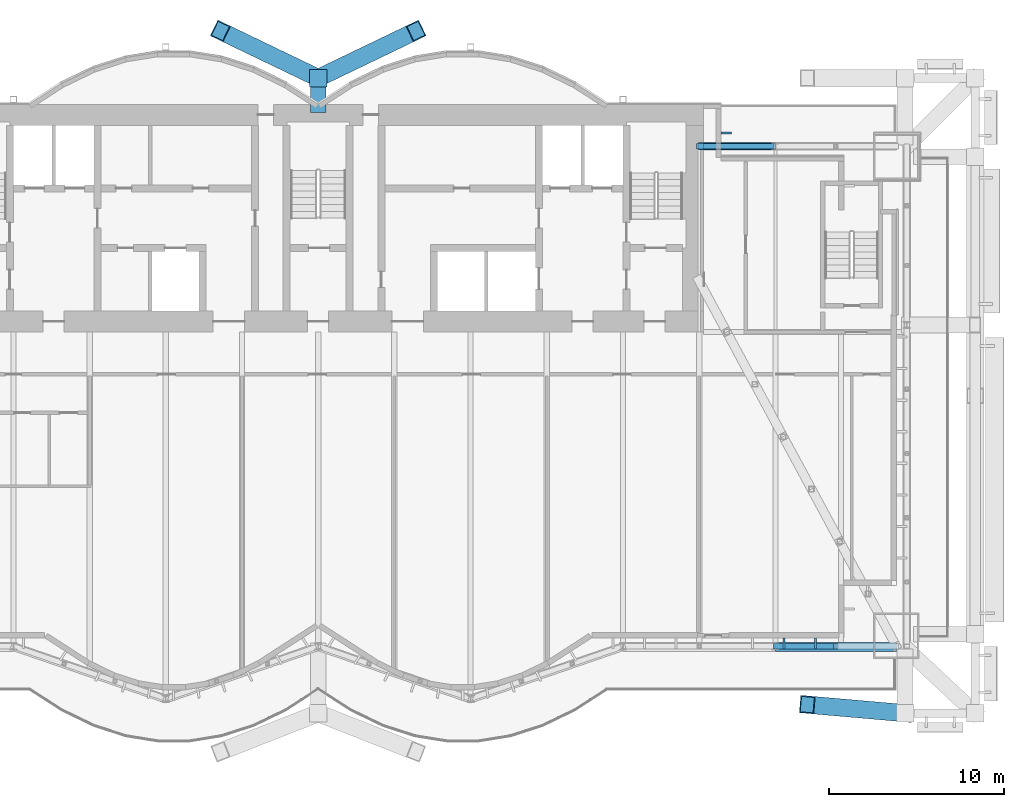
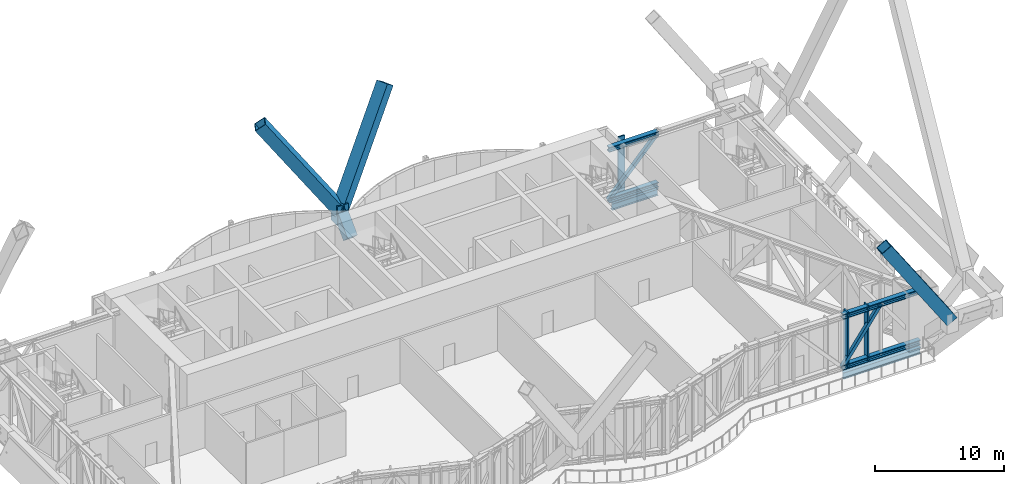
# One storey, part 13 of 30: 14 members, 2 beams, 1 element without a shape of its own.
"""IFC4 building model written with IfcOpenShell, lengths in metres."""

from ifc_helpers import new_model, si_unit, direction, frame, origin, origin_2d, place, context, subcontext, project, spatial, rectangle, hollow_rectangle, i_section, extrude, material, material_profile, profile_set, type_object, element, aggregate, save


model = new_model("IFC4")

# Units and contexts
model_context = context("Model", 3, precision=1e-05, world=origin(), true_north=direction((0.0, 1.0)))
body_context = subcontext(model_context, "Body", "Model", "MODEL_VIEW")
ifc_project = project(units=[si_unit("LENGTHUNIT", "METRE"), si_unit("AREAUNIT", "SQUARE_METRE"), si_unit("VOLUMEUNIT", "CUBIC_METRE"), si_unit("PLANEANGLEUNIT", "RADIAN"), si_unit("MASSUNIT", "GRAM", prefix="KILO")], contexts=[model_context])

# Site, building, storey
site_placement = place(None, origin())
site = spatial("IfcSite", under=ifc_project, at=site_placement, CompositionType="ELEMENT")
building_placement = place(site_placement, origin())
building = spatial("IfcBuilding", under=site, at=building_placement, Name="Bicima Exchange Tower", CompositionType="ELEMENT")
storey_placement = place(building_placement, frame((0.0, 0.0, 185.5)))
storey = spatial("IfcBuildingStorey", under=building, at=storey_placement, Name="L41", CompositionType="ELEMENT", Elevation=185.5)

# Curtain wall, members
ifc_material_1 = material(Name="Anodised bronze aluminium", Category="aluminium")
curtain_wall_type = type_object("IfcCurtainWallType", Name="Band blade screen", PredefinedType="NOTDEFINED", material=ifc_material_1)
curtain_wall_placement = place(storey_placement, origin())
curtain_wall = element("IfcCurtainWall", 1, at=curtain_wall_placement, inside=storey, type_object=curtain_wall_type, Name="Band blade screen L41", PredefinedType="NOTDEFINED")
ifc_material_profile_1 = material_profile(ifc_material_1, rectangle(XDim=0.60009765625, YDim=0.1201171875, at=origin_2d()))
ifc_profile_set_1 = profile_set([ifc_material_profile_1], Name="Anodised bronze aluminium")
member_type_1 = type_object("IfcMemberType", Name="Band blade fin 600 x 120", PredefinedType="USERDEFINED", material=ifc_profile_set_1)
member_1_placement = place(storey_placement, frame((23.300048828125, -1.64990234375, 0.0), z_axis=(0.0, 0.0, 1.0), x_axis=(-1.0, 0.0, 0.0)))
member_1 = element("IfcMember", 2, at=member_1_placement, type_object=member_type_1, Name="Band blade fin 10", ObjectType="FIN", PredefinedType="USERDEFINED", context=body_context, shape_type="SweptSolid", body=[
    extrude(rectangle(XDim=0.60009765625, YDim=0.1201171875, at=origin_2d()), origin(), (0.0, 0.0, 1.0), 5.25),
])
member_2_placement = place(storey_placement, frame((26.587158203125, -30.760009765625, 0.0), z_axis=(0.0, 0.0, 1.0), x_axis=(0.0, 1.0, 0.0)))
member_2 = element("IfcMember", 3, at=member_2_placement, type_object=member_type_1, Name="Band blade fin 53", ObjectType="FIN", PredefinedType="USERDEFINED", context=body_context, shape_type="SweptSolid", body=[
    extrude(rectangle(XDim=0.60009765625, YDim=0.1201171875, at=origin_2d()), origin(), (0.0, 0.0, 1.0), 5.25),
])
member_3_placement = place(storey_placement, frame((28.38720703125, -30.760009765625, 0.0), z_axis=(0.0, 0.0, 1.0), x_axis=(0.0, 1.0, 0.0)))
member_3 = element("IfcMember", 4, at=member_3_placement, type_object=member_type_1, Name="Band blade fin 54", ObjectType="FIN", PredefinedType="USERDEFINED", context=body_context, shape_type="SweptSolid", body=[
    extrude(rectangle(XDim=0.60009765625, YDim=0.1201171875, at=origin_2d()), origin(), (0.0, 0.0, 1.0), 5.25),
])
aggregate(curtain_wall, [member_1, member_2, member_3])

# Members
ifc_material_2 = material(Name="Steel ASTM A992 Gr 50", Category="steel")
ifc_material_profile_2 = material_profile(ifc_material_2, i_section(OverallWidth=0.419189453125, OverallDepth=0.45458984375, WebThickness=0.042236328125, FlangeThickness=0.067626953125, at=origin_2d()))
ifc_profile_set_2 = profile_set([ifc_material_profile_2], Name="Steel ASTM A992 Gr 50")
member_type_2 = type_object("IfcMemberType", Name="Belt truss chord W14x370", PredefinedType="CHORD", material=ifc_profile_set_2)
for number, where, z_axis, x_axis, name in (
    (5, (26.10009765625, -30.93798828125, 5.022705078125), (1.0, 0.0, 0.0), (0.0, 1.0, 0.0), "Top chord"),
    (6, (26.10009765625, -30.93798828125, 0.227294921875), (1.0, 0.0, 0.0), (0.0, 1.0, 0.0), "Bottom chord"),
):
    element("IfcMember", number, at=place(storey_placement, frame(where, z_axis=z_axis, x_axis=x_axis)), inside=storey, type_object=member_type_2, Name=name, PredefinedType="CHORD", context=body_context, shape_type="SweptSolid", body=[
        extrude(i_section(OverallWidth=0.419189453125, OverallDepth=0.45458984375, WebThickness=0.042236328125, FlangeThickness=0.067626953125, at=origin_2d()), origin(), (0.0, 0.0, 1.0), 6.89990234375),
    ])
for number, where, z_axis, x_axis, name in (
    (7, (21.699951171875, -2.39990234375, 5.022705078125), (1.0, 0.0, 0.0), (0.0, 1.0, 0.0), "Top chord"),
    (8, (21.699951171875, -2.39990234375, 0.227294921875), (1.0, 0.0, 0.0), (0.0, 1.0, 0.0), "Bottom chord"),
):
    element("IfcMember", number, at=place(storey_placement, frame(where, z_axis=z_axis, x_axis=x_axis)), inside=storey, type_object=member_type_2, Name=name, PredefinedType="CHORD", context=body_context, shape_type="SweptSolid", body=[
        extrude(i_section(OverallWidth=0.419189453125, OverallDepth=0.45458984375, WebThickness=0.042236328125, FlangeThickness=0.067626953125, at=origin_2d()), origin(), (0.0, 0.0, 1.0), 4.400146484375),
    ])
ifc_material_3 = material(Name="Steel ASTM A572 Gr 50", Category="steel")
ifc_material_profile_3 = material_profile(ifc_material_3, hollow_rectangle(XDim=0.3046875, YDim=0.3046875, WallThickness=0.01171875, at=origin_2d()))
ifc_profile_set_3 = profile_set([ifc_material_profile_3], Name="Steel ASTM A572 Gr 50")
member_type_3 = type_object("IfcMemberType", Name="Belt truss diagonal HSS12x12x1/2", PredefinedType="STRUT", material=ifc_profile_set_3)
member_4_placement = place(storey_placement, frame((26.10009765625, -30.93798828125, 0.227294921875), z_axis=(0.583998756388, 0.0, 0.811754551905), x_axis=(0.0, 1.0, 0.0)))
element("IfcMember", 9, at=member_4_placement, inside=storey, type_object=member_type_3, Name="Truss diagonal", PredefinedType="STRUT", context=body_context, shape_type="SweptSolid", body=[
    extrude(hollow_rectangle(XDim=0.3046875, YDim=0.3046875, WallThickness=0.01171875, at=origin_2d()), origin(), (0.0, 0.0, 1.0), 5.907470703125),
])
member_5_placement = place(storey_placement, frame((21.699951171875, -2.39990234375, 0.227294921875), z_axis=(0.676088063862, 0.0, 0.736820826187), x_axis=(0.0, 1.0, 0.0)))
element("IfcMember", 10, at=member_5_placement, inside=storey, type_object=member_type_3, Name="Truss diagonal", PredefinedType="STRUT", context=body_context, shape_type="SweptSolid", body=[
    extrude(hollow_rectangle(XDim=0.3046875, YDim=0.3046875, WallThickness=0.01171875, at=origin_2d()), origin(), (0.0, 0.0, 1.0), 6.50830078125),
])
ifc_material_profile_4 = material_profile(ifc_material_3, hollow_rectangle(XDim=1.0, YDim=1.0, WallThickness=0.06005859375, at=origin_2d()))
ifc_profile_set_4 = profile_set([ifc_material_profile_4], Name="Steel ASTM A572 Gr 50")
member_type_4 = type_object("IfcMemberType", Name="Exo mega brace BOX 1000x1000x60", PredefinedType="BRACE", material=ifc_profile_set_4)
member_6_placement = place(storey_placement, frame((0.0, 1.5, 4.5), z_axis=(0.53421092373, 0.257049149711, 0.80532255873), x_axis=(-0.433591692225, 0.901109451972, 0.0)))
element("IfcMember", 11, at=member_6_placement, inside=storey, type_object=member_type_4, Name="Exo mega brace rear", PredefinedType="BRACE", context=body_context, shape_type="SweptSolid", body=[
    extrude(hollow_rectangle(XDim=1.0, YDim=1.0, WallThickness=0.06005859375, at=origin_2d()), origin(), (0.0, 0.0, 1.0), 10.451416015625),
])
member_7_placement = place(storey_placement, frame((33.5, -34.756591796875, 4.5), z_axis=(-0.552141893992, 0.048239079286, 0.832353482679), x_axis=(-0.087035637192, -0.996205198671, 0.0)))
element("IfcMember", 12, at=member_7_placement, inside=storey, type_object=member_type_4, Name="Exo mega brace front", PredefinedType="BRACE", context=body_context, shape_type="SweptSolid", body=[
    extrude(hollow_rectangle(XDim=1.0, YDim=1.0, WallThickness=0.06005859375, at=origin_2d()), origin(), (0.0, 0.0, 1.0), 10.112060546875),
])
member_8_placement = place(storey_placement, frame((0.0, 1.5, 4.5), z_axis=(-0.53421092373, 0.257049149711, 0.80532255873), x_axis=(-0.433591692225, -0.901109451972, 0.0)))
element("IfcMember", 13, at=member_8_placement, inside=storey, type_object=member_type_4, Name="Exo mega brace rear", PredefinedType="BRACE", context=body_context, shape_type="SweptSolid", body=[
    extrude(hollow_rectangle(XDim=1.0, YDim=1.0, WallThickness=0.06005859375, at=origin_2d()), origin(), (0.0, 0.0, 1.0), 10.451416015625),
])
ifc_material_4 = material(Name="Cast steel ASTM A216 Gr WCB", Category="steel")
ifc_material_profile_5 = material_profile(ifc_material_4, rectangle(XDim=1.0, YDim=1.0, at=origin_2d()))
ifc_profile_set_5 = profile_set([ifc_material_profile_5], Name="Cast steel ASTM A216 Gr WCB")
member_type_5 = type_object("IfcMemberType", Name="Exo node block", PredefinedType="POST", material=ifc_profile_set_5)
member_9_placement = place(storey_placement, frame((0.0, 1.5, 3.449951171875), z_axis=(0.0, 0.0, 1.0), x_axis=(1.0, 0.0, 0.0)))
element("IfcMember", 14, at=member_9_placement, inside=storey, type_object=member_type_5, Name="Exo node block", PredefinedType="POST", context=body_context, shape_type="SweptSolid", body=[
    extrude(rectangle(XDim=1.0, YDim=1.0, at=origin_2d()), origin(), (0.0, 0.0, 1.0), 1.800048828125),
])
ifc_material_profile_6 = material_profile(ifc_material_3, hollow_rectangle(XDim=0.89990234375, YDim=0.89990234375, WallThickness=0.050048828125, at=origin_2d()))
ifc_profile_set_6 = profile_set([ifc_material_profile_6], Name="Steel ASTM A572 Gr 50")
member_type_6 = type_object("IfcMemberType", Name="Exo outrigger stub BOX 900x900x50", PredefinedType="STRUT", material=ifc_profile_set_6)
member_10_placement = place(storey_placement, frame((0.0, -0.14990234375, 2.85009765625), z_axis=(0.0, 0.707106781187, 0.707106781187), x_axis=(-1.0, 0.0, 0.0)))
element("IfcMember", 15, at=member_10_placement, inside=storey, type_object=member_type_6, Name="Exo outrigger stub", PredefinedType="STRUT", context=body_context, shape_type="SweptSolid", body=[
    extrude(hollow_rectangle(XDim=0.89990234375, YDim=0.89990234375, WallThickness=0.050048828125, at=origin_2d()), origin(), (0.0, 0.0, 1.0), 2.333251953125),
])

# Beams
ifc_material_profile_7 = material_profile(ifc_material_2, i_section(OverallWidth=0.3251953125, OverallDepth=0.612060546875, WebThickness=0.0126953125, FlangeThickness=0.01904296875, at=origin_2d()))
ifc_profile_set_7 = profile_set([ifc_material_profile_7], Name="Steel ASTM A992 Gr 50")
beam_type_1 = type_object("IfcBeamType", Name="Front girder W24x104", PredefinedType="BEAM", material=ifc_profile_set_7)
beam_1_placement = place(storey_placement, frame((26.10009765625, -31.06005859375, -0.506103515625), z_axis=(1.0, 0.0, 0.0), x_axis=(0.0, 1.0, 0.0)))
element("IfcBeam", 16, at=beam_1_placement, inside=storey, type_object=beam_type_1, Name="Front girder", PredefinedType="BEAM", context=body_context, shape_type="SweptSolid", body=[
    extrude(i_section(OverallWidth=0.3251953125, OverallDepth=0.612060546875, WebThickness=0.0126953125, FlangeThickness=0.01904296875, at=origin_2d()), origin(), (0.0, 0.0, 1.0), 6.89990234375),
])
beam_type_2 = type_object("IfcBeamType", Name="Rear girder W24x104", PredefinedType="BEAM", material=ifc_profile_set_7)
beam_2_placement = place(storey_placement, frame((22.0, -2.39990234375, -0.506103515625), z_axis=(1.0, 0.0, 0.0), x_axis=(0.0, 1.0, 0.0)))
element("IfcBeam", 17, at=beam_2_placement, inside=storey, type_object=beam_type_2, Name="Rear girder", PredefinedType="BEAM", context=body_context, shape_type="SweptSolid", body=[
    extrude(i_section(OverallWidth=0.3251953125, OverallDepth=0.612060546875, WebThickness=0.0126953125, FlangeThickness=0.01904296875, at=origin_2d()), origin(), (0.0, 0.0, 1.0), 4.10009765625),
])

save(model, "model.ifc")
